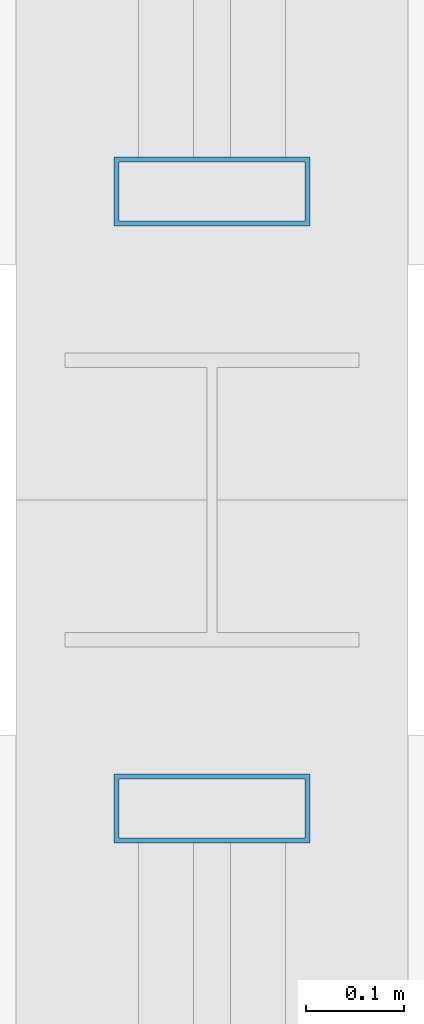
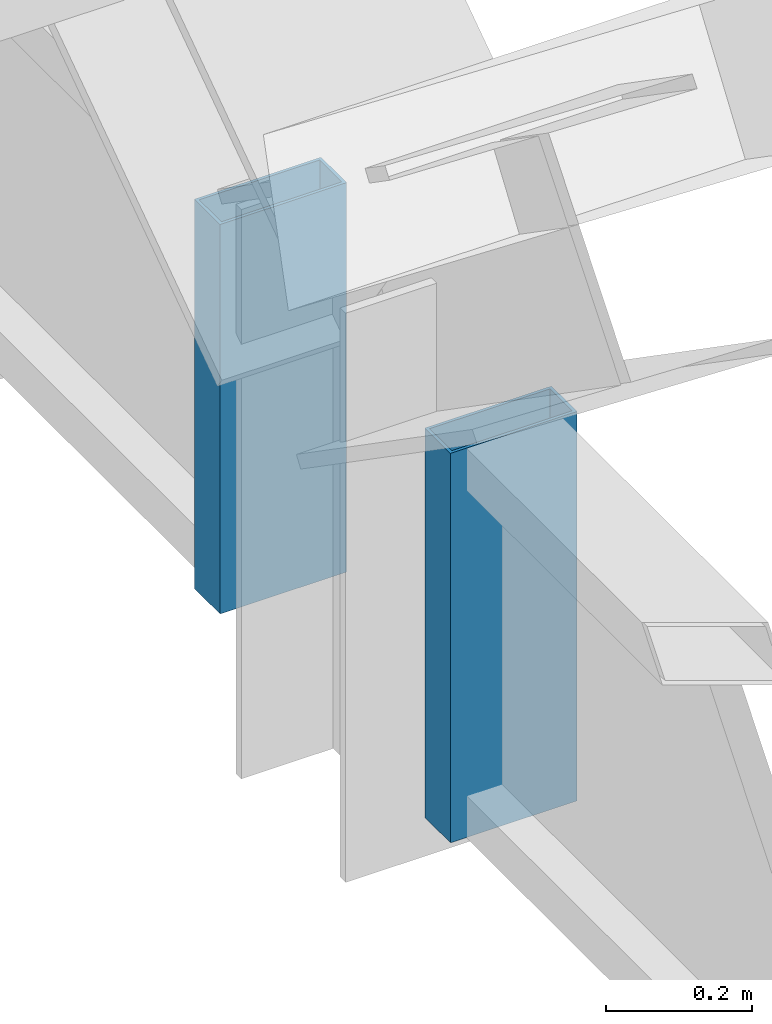
# One storey, part 15 of 21: 2 members, 2 elements without a shape of their own.
"""IFC4 building model written with IfcOpenShell, lengths in metres."""

from ifc_helpers import new_model, si_unit, direction, frame, origin, origin_2d, place, context, subcontext, project, spatial, hollow_rectangle, extrude, source, transform, mapped, material, layer, layer_set, material_profile, profile_set, type_object, element, aggregate, save


model = new_model("IFC4")

# Units and contexts
model_context = context("Model", 3, precision=1e-05, world=origin(), true_north=direction((0.0, 1.0)))
body_context = subcontext(model_context, "Body", "Model", "MODEL_VIEW")
ifc_project = project(units=[si_unit("LENGTHUNIT", "METRE"), si_unit("AREAUNIT", "SQUARE_METRE"), si_unit("VOLUMEUNIT", "CUBIC_METRE"), si_unit("PLANEANGLEUNIT", "RADIAN"), si_unit("MASSUNIT", "GRAM", prefix="KILO")], contexts=[model_context])

# Site, building, storey
site_placement = place(None, origin())
site = spatial("IfcSite", under=ifc_project, at=site_placement, CompositionType="ELEMENT")
building_placement = place(site_placement, origin())
building = spatial("IfcBuilding", under=site, at=building_placement, Name="Saelheon Loggia Tower", CompositionType="ELEMENT")
storey_placement = place(building_placement, frame((0.0, 0.0, 275.0)))
storey = spatial("IfcBuildingStorey", under=building, at=storey_placement, Name="ROOF", CompositionType="ELEMENT", Elevation=275.0)

# Curtain wall, member
ifc_material_1 = material(Name="Bronze-Anodised Aluminium and Fritted Ceramic Screen", Category="aluminium")
ifc_layer = layer(ifc_material_1, 0.219970703125)
ifc_layer_set = layer_set([ifc_layer], Name="Bronze-Anodised Aluminium and Fritted Ceramic Screen")
curtain_wall_type = type_object("IfcCurtainWallType", Name="CW_CrownScreen", PredefinedType="NOTDEFINED", material=ifc_layer_set)
curtain_wall_1_placement = place(storey_placement, origin())
curtain_wall_1 = element("IfcCurtainWall", 1, at=curtain_wall_1_placement, inside=storey, type_object=curtain_wall_type, Name="ROOF Wave Crest Curtain Wall E 02-2", PredefinedType="NOTDEFINED")
ifc_material_2 = material(Name="Bronze-Anodised Aluminium 6063-T6", Category="aluminium")
ifc_material_profile = material_profile(ifc_material_2, hollow_rectangle(XDim=0.070068359375, YDim=0.199951171875, WallThickness=0.0048828125, at=origin_2d()), Name="RHS-200x70x5")
ifc_profile_set = profile_set([ifc_material_profile], Name="Bronze-Anodised Aluminium 6063-T6")
member_type = type_object("IfcMemberType", Name="CW_CrownScreen_Mullion", PredefinedType="MULLION", material=ifc_profile_set)
shared_shape = source(origin(), body_context, "Body", "SweptSolid", [
    extrude(hollow_rectangle(XDim=0.070068359375, YDim=0.199951171875, WallThickness=0.0048828125, at=origin_2d()), origin(), (0.0, 0.0, 1.0), 0.64990234375),
])
member_1_placement = place(storey_placement, frame((52.64990234375, 21.635009765625, 0.02001953125), z_axis=(0.0, 0.0, 1.0), x_axis=(0.0, 1.0, 0.0)))
member_1 = element("IfcMember", 2, at=member_1_placement, type_object=member_type, Name="CW6 mullion 2", PredefinedType="MULLION", context=body_context, shape_type="MappedRepresentation", body=[
    mapped(shared_shape, transform((0.0, 0.0, 0.0), scale=1.0)),
])
aggregate(curtain_wall_1, [member_1])

curtain_wall_2_placement = place(storey_placement, origin())
curtain_wall_2 = element("IfcCurtainWall", 3, at=curtain_wall_2_placement, inside=storey, type_object=curtain_wall_type, Name="ROOF Wave Crest Curtain Wall E 03-1", PredefinedType="NOTDEFINED")
member_2_placement = place(storey_placement, frame((52.64990234375, 22.264892578125, 0.02001953125), z_axis=(0.0, 0.0, 1.0), x_axis=(0.0, 1.0, 0.0)))
member_2 = element("IfcMember", 4, at=member_2_placement, type_object=member_type, Name="CW6 mullion 1", PredefinedType="MULLION", context=body_context, shape_type="MappedRepresentation", body=[
    mapped(shared_shape, transform((0.0, 0.0, 0.0), scale=1.0)),
])
aggregate(curtain_wall_2, [member_2])

save(model, "model.ifc")
